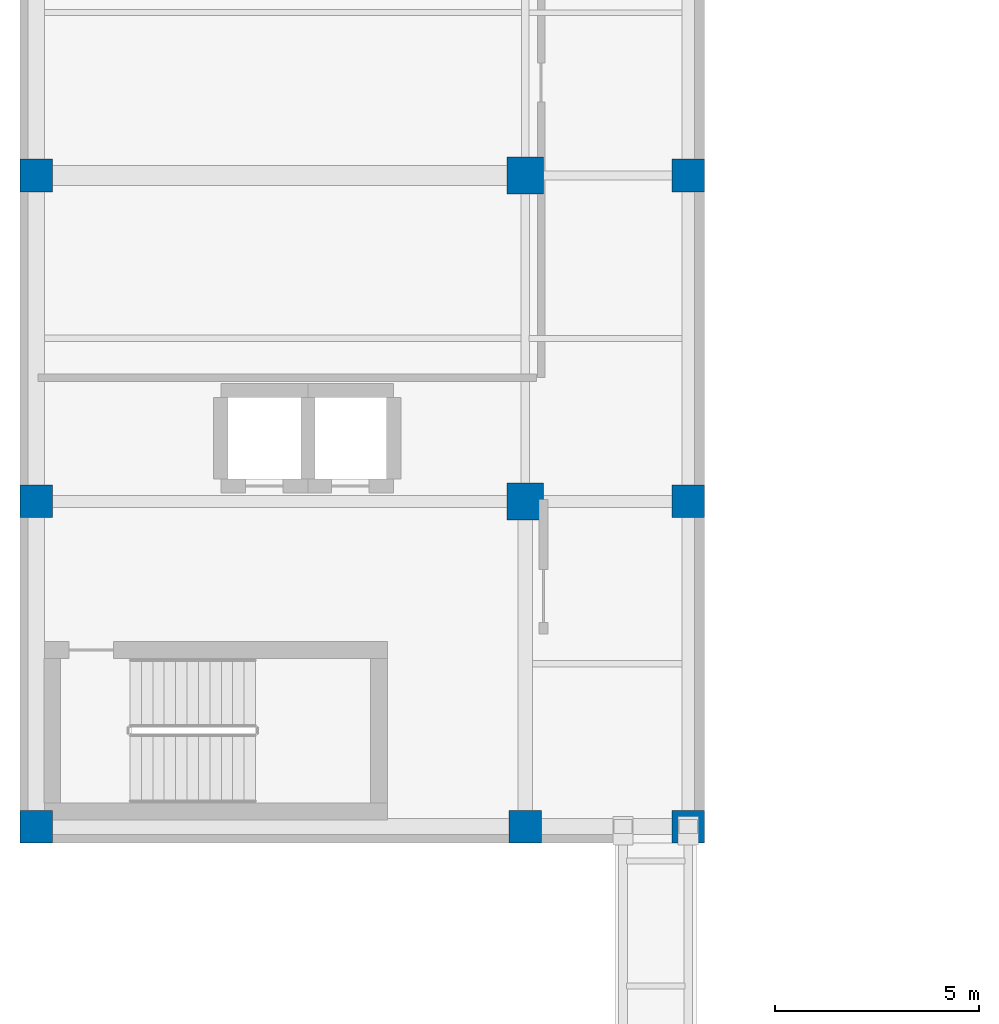
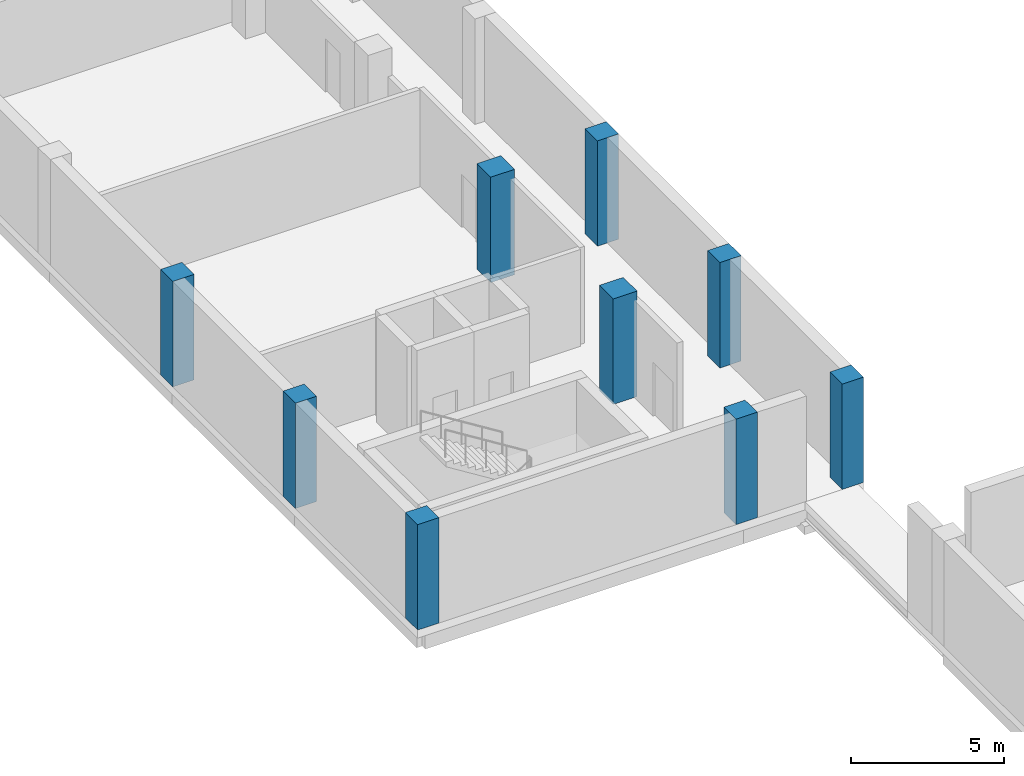
# One storey, part 3 of 31: 9 columns.
"""IFC4 building model written with IfcOpenShell, lengths in metres."""

from ifc_helpers import new_model, si_unit, direction, frame, origin, origin_2d, place, context, subcontext, project, spatial, rectangle, extrude, material, material_profile, profile_set, type_object, element, save


model = new_model("IFC4")

# Units and contexts
model_context = context("Model", 3, precision=1e-05, world=origin(), true_north=direction((0.0, 1.0)))
body_context = subcontext(model_context, "Body", "Model", "MODEL_VIEW")
ifc_project = project(units=[si_unit("LENGTHUNIT", "METRE"), si_unit("AREAUNIT", "SQUARE_METRE"), si_unit("VOLUMEUNIT", "CUBIC_METRE"), si_unit("PLANEANGLEUNIT", "RADIAN"), si_unit("MASSUNIT", "GRAM", prefix="KILO")], contexts=[model_context])

# Site, building, storey
site_placement = place(None, origin())
site = spatial("IfcSite", under=ifc_project, at=site_placement, CompositionType="ELEMENT")
building_placement = place(site_placement, origin())
building = spatial("IfcBuilding", under=site, at=building_placement, Name="Qalavern Law Courts", CompositionType="ELEMENT")
storey_placement = place(building_placement, frame((0.0, 0.0, -4.199951171875)))
storey = spatial("IfcBuildingStorey", under=building, at=storey_placement, Name="B1", CompositionType="ELEMENT", Elevation=-4.199951171875)

# Columns
ifc_material = material(Name="Concrete C45/55", Category="concrete")
ifc_material_profile_1 = material_profile(ifc_material, rectangle(XDim=0.800048828125, YDim=0.800048828125, at=origin_2d()), Name="RC 800x800")
ifc_profile_set_1 = profile_set([ifc_material_profile_1], Name="Concrete C45/55")
column_type_1 = type_object("IfcColumnType", Name="STR-COL-RC800E", PredefinedType="COLUMN", material=ifc_profile_set_1)
for number, where, z_axis, x_axis, name in (
    (1, (2.39990234375, 41.419921875, 0.0), (0.0, 0.0, 1.0), (1.0, 0.0, 0.0), "V3 column 1-1 B1"),
    (2, (2.39990234375, 49.39990234375, 0.0), (0.0, 0.0, 1.0), (1.0, 0.0, 0.0), "V3 column 1-2 B1"),
    (3, (2.39990234375, 57.39990234375, 0.0), (0.0, 0.0, 1.0), (1.0, 0.0, 0.0), "V3 column 1-3 B1"),
    (4, (14.39990234375, 41.419921875, 0.0), (0.0, 0.0, 1.0), (1.0, 0.0, 0.0), "V3 column 2-1 B1"),
    (5, (18.39990234375, 41.419921875, 0.0), (0.0, 0.0, 1.0), (1.0, 0.0, 0.0), "V3 column 3-1 B1"),
    (6, (18.39990234375, 49.39990234375, 0.0), (0.0, 0.0, 1.0), (1.0, 0.0, 0.0), "V3 column 3-2 B1"),
    (7, (18.39990234375, 57.39990234375, 0.0), (0.0, 0.0, 1.0), (1.0, 0.0, 0.0), "V3 column 3-3 B1"),
):
    element("IfcColumn", number, at=place(storey_placement, frame(where, z_axis=z_axis, x_axis=x_axis)), inside=storey, type_object=column_type_1, Name=name, PredefinedType="COLUMN", context=body_context, shape_type="SweptSolid", body=[
        extrude(rectangle(XDim=0.800048828125, YDim=0.800048828125, at=origin_2d()), origin(), (0.0, 0.0, 1.0), 4.199951171875),
    ])
ifc_material_profile_2 = material_profile(ifc_material, rectangle(XDim=0.89990234375, YDim=0.89990234375, at=origin_2d()), Name="RC 900x900")
ifc_profile_set_2 = profile_set([ifc_material_profile_2], Name="Concrete C45/55")
column_type_2 = type_object("IfcColumnType", Name="STR-COL-RC900", PredefinedType="COLUMN", material=ifc_profile_set_2)
for number, where, z_axis, x_axis, name in (
    (8, (14.39990234375, 49.39990234375, 0.0), (0.0, 0.0, 1.0), (1.0, 0.0, 0.0), "V3 column 2-2 B1"),
    (9, (14.39990234375, 57.39990234375, 0.0), (0.0, 0.0, 1.0), (1.0, 0.0, 0.0), "V3 column 2-3 B1"),
):
    element("IfcColumn", number, at=place(storey_placement, frame(where, z_axis=z_axis, x_axis=x_axis)), inside=storey, type_object=column_type_2, Name=name, PredefinedType="COLUMN", context=body_context, shape_type="SweptSolid", body=[
        extrude(rectangle(XDim=0.89990234375, YDim=0.89990234375, at=origin_2d()), origin(), (0.0, 0.0, 1.0), 4.199951171875),
    ])

save(model, "model.ifc")
